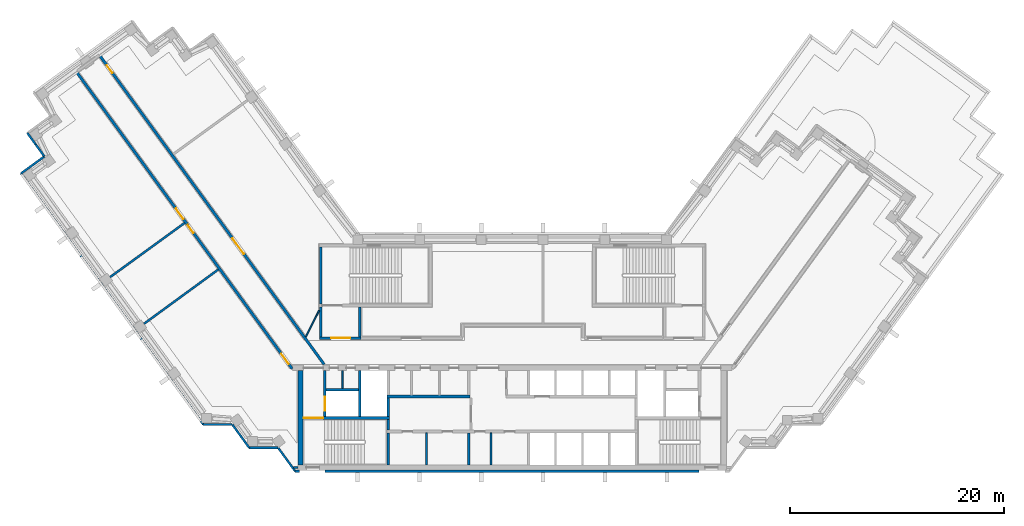
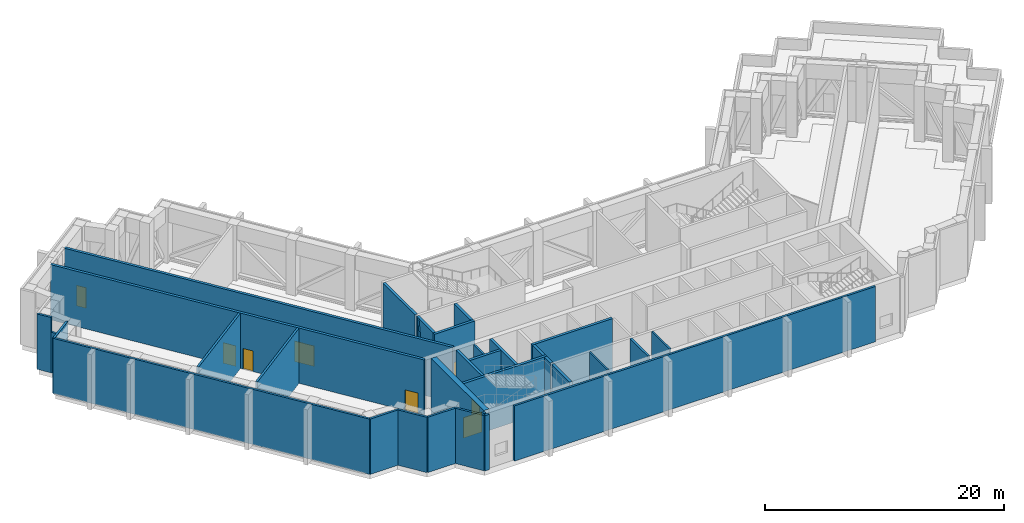
# One storey, part 9 of 16: 33 walls, 8 doors, 8 openings.
"""IFC4 building model written with IfcOpenShell, lengths in metres."""

from ifc_helpers import new_model, si_unit, direction, frame, frame_2d, origin, place, context, subcontext, project, spatial, rectangle, extrude, material, layer, layer_set, type_object, element, fill, save


model = new_model("IFC4")

# Units and contexts
model_context = context("Model", 3, precision=1e-05, world=origin(), true_north=direction((0.0, 1.0)))
body_context = subcontext(model_context, "Body", "Model", "MODEL_VIEW")
ifc_project = project(units=[si_unit("LENGTHUNIT", "METRE"), si_unit("AREAUNIT", "SQUARE_METRE"), si_unit("VOLUMEUNIT", "CUBIC_METRE"), si_unit("PLANEANGLEUNIT", "RADIAN"), si_unit("MASSUNIT", "GRAM", prefix="KILO")], contexts=[model_context])

# Site, building, storey
site_placement = place(None, origin())
site = spatial("IfcSite", under=ifc_project, at=site_placement, CompositionType="ELEMENT")
building_placement = place(site_placement, origin())
building = spatial("IfcBuilding", under=site, at=building_placement, Name="Quipu Civic Tower", CompositionType="ELEMENT")
storey_placement = place(building_placement, frame((0.0, 0.0, 188.0)))
storey = spatial("IfcBuildingStorey", under=building, at=storey_placement, Name="L44", CompositionType="ELEMENT", Elevation=188.0)

# Walls
ifc_material_1 = material(Name="Fired clay blockwork", Category="masonry")
ifc_layer_1 = layer(ifc_material_1, 0.199951171875)
ifc_layer_set_1 = layer_set([ifc_layer_1], Name="Fired clay blockwork")
wall_type_1 = type_object("IfcWallType", Name="Blockwork wall 200", PredefinedType="SOLIDWALL", material=ifc_layer_set_1)
wall_1_placement = place(storey_placement, frame((-34.353515625, 2.66650390625, 0.0), z_axis=(0.0, 0.0, 1.0), x_axis=(0.807581053567, 0.589756595487, 0.0)))
element("IfcWall", 1, at=wall_1_placement, inside=storey, type_object=wall_type_1, Name="Partition P03", PredefinedType="SOLIDWALL", context=body_context, shape_type="SweptSolid", body=[
    extrude(rectangle(XDim=8.594482421875, YDim=0.199951171875, at=frame_2d((4.29736328125, 0.0))), origin(), (0.0, 0.0, 1.0), 5.64990234375),
])
wall_2_placement = place(storey_placement, frame((-30.563232421875, 12.07177734375, 0.0), z_axis=(0.0, 0.0, 1.0), x_axis=(-0.808979233367, -0.58783722235, 0.0)))
element("IfcWall", 2, at=wall_2_placement, inside=storey, type_object=wall_type_1, Name="Partition P04", PredefinedType="SOLIDWALL", context=body_context, shape_type="SweptSolid", body=[
    extrude(rectangle(XDim=8.5947265625, YDim=0.199951171875, at=frame_2d((4.29736328125, 0.0))), origin(), (0.0, 0.0, 1.0), 5.64990234375),
])
ifc_material_2 = material(Name="Concrete C70/85", Category="concrete")
ifc_layer_2 = layer(ifc_material_2, 0.25)
ifc_layer_set_2 = layer_set([ifc_layer_2], Name="Concrete C70/85")
wall_type_2 = type_object("IfcWallType", Name="Core wall 250", PredefinedType="SHEAR", material=ifc_layer_set_2)
wall_3_placement = place(storey_placement, frame((-11.574951171875, -10.5, 0.0), z_axis=(0.0, 0.0, 1.0), x_axis=(0.0, 1.0, 0.0)))
element("IfcWall", 3, at=wall_3_placement, inside=storey, type_object=wall_type_2, Name="Core wall", PredefinedType="SHEAR", context=body_context, shape_type="SweptSolid", body=[
    extrude(rectangle(XDim=3.0, YDim=0.25, at=frame_2d((1.5, 0.0))), origin(), (0.0, 0.0, 1.0), 5.64990234375),
])
wall_4_placement = place(storey_placement, frame((-11.574951171875, -7.25, 0.0), z_axis=(0.0, 0.0, 1.0), x_axis=(0.0, 1.0, 0.0)))
element("IfcWall", 4, at=wall_4_placement, inside=storey, type_object=wall_type_2, Name="Core wall", PredefinedType="SHEAR", context=body_context, shape_type="SweptSolid", body=[
    extrude(rectangle(XDim=1.0, YDim=0.25, at=frame_2d((0.5, 0.0))), origin(), (0.0, 0.0, 1.0), 5.64990234375),
])

# Wall, opening, door
wall_5_placement = place(storey_placement, frame((-11.449951171875, -6.125, 0.0), z_axis=(0.0, 0.0, 1.0), x_axis=(-1.0, 0.0, 0.0)))
wall_5 = element("IfcWall", 5, at=wall_5_placement, inside=storey, type_object=wall_type_2, Name="Core wall", PredefinedType="SHEAR", context=body_context, shape_type="SweptSolid", body=[
    extrude(rectangle(XDim=8.050048828125, YDim=0.25, at=frame_2d((4.02490234375, 0.0))), origin(), (0.0, 0.0, 1.0), 5.64990234375),
])
opening_1_placement = place(wall_5_placement, frame((6.199951171875, 0.0, 0.0)))
opening_1 = element("IfcOpeningElement", 6, at=opening_1_placement, cuts=wall_5, Name="Opening CD-05", PredefinedType="OPENING", context=body_context, shape_type="SweptSolid", body=[
    extrude(rectangle(XDim=1.800048828125, YDim=2.10009765625, at=frame_2d((0.89990234375, 1.050048828125))), frame((0.0, 0.135009765625, 0.0), z_axis=(0.0, -1.0, 0.0), x_axis=(1.0, 0.0, 0.0)), (0.0, 0.0, 1.0), 0.27001953125),
])
ifc_material_3 = material(Name="Fire rated steel door", Category="steel")
door_type_1 = type_object("IfcDoorType", Name="Fire door FD90 double 1800 x 2100", OperationType="NOTDEFINED", PredefinedType="DOOR", material=ifc_material_3)
door_1_placement = place(opening_1_placement, origin())
door_1 = element("IfcDoor", 7, at=door_1_placement, inside=storey, type_object=door_type_1, Name="Door", OperationType="DOUBLE_DOOR_SINGLE_SWING", OverallHeight=2.10009765625, OverallWidth=1.800048828125, PredefinedType="DOOR", context=body_context, shape_type="SweptSolid", body=[
    extrude(rectangle(XDim=1.800048828125, YDim=2.10009765625, at=frame_2d((0.89990234375, 1.050048828125))), frame((0.0, 0.02490234375, 0.0), z_axis=(0.0, -1.0, 0.0), x_axis=(1.0, 0.0, 0.0)), (0.0, 0.0, 1.0), 0.050048828125),
])
fill(opening_1, door_1)

wall_6_placement = place(storey_placement, frame((-17.47509765625, -6.0, 0.0), z_axis=(0.0, 0.0, 1.0), x_axis=(0.0, 1.0, 0.0)))
wall_6 = element("IfcWall", 8, at=wall_6_placement, inside=storey, type_object=wall_type_2, Name="Core wall", PredefinedType="SHEAR", context=body_context, shape_type="SweptSolid", body=[
    extrude(rectangle(XDim=4.300048828125, YDim=0.25, at=frame_2d((2.14990234375, 0.0))), origin(), (0.0, 0.0, 1.0), 5.64990234375),
])
opening_2_placement = place(wall_6_placement, frame((0.550048828125, 0.0, 0.0)))
opening_2 = element("IfcOpeningElement", 9, at=opening_2_placement, cuts=wall_6, Name="Opening LD-FF1", PredefinedType="OPENING", context=body_context, shape_type="SweptSolid", body=[
    extrude(rectangle(XDim=1.300048828125, YDim=2.10009765625, at=frame_2d((0.64990234375, 1.050048828125))), frame((0.0, 0.135009765625, 0.0), z_axis=(0.0, -1.0, 0.0), x_axis=(1.0, 0.0, 0.0)), (0.0, 0.0, 1.0), 0.27001953125),
])
ifc_material_4 = material(Name="Stainless steel", Category="steel")
door_type_2 = type_object("IfcDoorType", Name="Lift landing door 1300 x 2100", OperationType="DOUBLE_DOOR_SLIDING", PredefinedType="DOOR", material=ifc_material_4)
door_2_placement = place(opening_2_placement, origin())
door_2 = element("IfcDoor", 10, at=door_2_placement, inside=storey, type_object=door_type_2, Name="Landing door FF1", OperationType="DOUBLE_DOOR_SLIDING", OverallHeight=2.10009765625, OverallWidth=1.300048828125, PredefinedType="DOOR", context=body_context, shape_type="SweptSolid", body=[
    extrude(rectangle(XDim=1.300048828125, YDim=2.10009765625, at=frame_2d((0.64990234375, 1.050048828125))), frame((0.0, 0.02490234375, 0.0), z_axis=(0.0, -1.0, 0.0), x_axis=(1.0, 0.0, 0.0)), (0.0, 0.0, 1.0), 0.050048828125),
])
fill(opening_2, door_2)

# Walls
wall_7_placement = place(storey_placement, frame((-14.22509765625, -6.0, 0.0), z_axis=(0.0, 0.0, 1.0), x_axis=(0.0, 1.0, 0.0)))
element("IfcWall", 11, at=wall_7_placement, inside=storey, type_object=wall_type_2, Name="Core wall", PredefinedType="SHEAR", context=body_context, shape_type="SweptSolid", body=[
    extrude(rectangle(XDim=4.300048828125, YDim=0.25, at=frame_2d((2.14990234375, 0.0))), origin(), (0.0, 0.0, 1.0), 5.64990234375),
])
wall_8_placement = place(storey_placement, frame((-11.574951171875, -6.0, 0.0), z_axis=(0.0, 0.0, 1.0), x_axis=(0.0, 1.0, 0.0)))
element("IfcWall", 12, at=wall_8_placement, inside=storey, type_object=wall_type_2, Name="Core wall", PredefinedType="SHEAR", context=body_context, shape_type="SweptSolid", body=[
    extrude(rectangle(XDim=1.75, YDim=0.25, at=frame_2d((0.875, 0.0))), origin(), (0.0, 0.0, 1.0), 5.64990234375),
])
wall_9_placement = place(storey_placement, frame((-11.699951171875, -4.125, 0.0), z_axis=(0.0, 0.0, 1.0), x_axis=(1.0, 0.0, 0.0)))
element("IfcWall", 13, at=wall_9_placement, inside=storey, type_object=wall_type_2, Name="Core wall", PredefinedType="SHEAR", context=body_context, shape_type="SweptSolid", body=[
    extrude(rectangle(XDim=7.75, YDim=0.25, at=frame_2d((3.875, 0.0))), origin(), (0.0, 0.0, 1.0), 5.64990234375),
])
wall_10_placement = place(storey_placement, frame((-17.35009765625, -3.47509765625, 0.0), z_axis=(0.0, 0.0, 1.0), x_axis=(1.0, 0.0, 0.0)))
element("IfcWall", 14, at=wall_10_placement, inside=storey, type_object=wall_type_2, Name="Core wall", PredefinedType="SHEAR", context=body_context, shape_type="SweptSolid", body=[
    extrude(rectangle(XDim=3.0, YDim=0.25, at=frame_2d((1.5, 0.0))), origin(), (0.0, 0.0, 1.0), 5.64990234375),
])

# Wall, opening, door
wall_11_placement = place(storey_placement, frame((-18.0, 1.324951171875, 0.0), z_axis=(0.0, 0.0, 1.0), x_axis=(1.0, 0.0, 0.0)))
wall_11 = element("IfcWall", 15, at=wall_11_placement, inside=storey, type_object=wall_type_2, Name="Core wall", PredefinedType="SHEAR", context=body_context, shape_type="SweptSolid", body=[
    extrude(rectangle(XDim=3.89990234375, YDim=0.25, at=frame_2d((1.949951171875, 0.0))), origin(), (0.0, 0.0, 1.0), 5.64990234375),
])
opening_3_placement = place(wall_11_placement, frame((1.10009765625, 0.0, 0.0)))
opening_3 = element("IfcOpeningElement", 16, at=opening_3_placement, cuts=wall_11, Name="Opening CD-20", PredefinedType="OPENING", context=body_context, shape_type="SweptSolid", body=[
    extrude(rectangle(XDim=1.800048828125, YDim=2.10009765625, at=frame_2d((0.89990234375, 1.050048828125))), frame((0.0, 0.135009765625, 0.0), z_axis=(0.0, -1.0, 0.0), x_axis=(1.0, 0.0, 0.0)), (0.0, 0.0, 1.0), 0.27001953125),
])
door_3_placement = place(opening_3_placement, origin())
door_3 = element("IfcDoor", 17, at=door_3_placement, inside=storey, type_object=door_type_1, Name="Lobby door", OperationType="DOUBLE_DOOR_SINGLE_SWING", OverallHeight=2.10009765625, OverallWidth=1.800048828125, PredefinedType="DOOR", context=body_context, shape_type="SweptSolid", body=[
    extrude(rectangle(XDim=1.800048828125, YDim=2.10009765625, at=frame_2d((0.89990234375, 1.050048828125))), frame((0.0, 0.02490234375, 0.0), z_axis=(0.0, -1.0, 0.0), x_axis=(1.0, 0.0, 0.0)), (0.0, 0.0, 1.0), 0.050048828125),
])
fill(opening_3, door_3)

# Walls
for number, where, z_axis, x_axis, name in (
    (18, (-17.875, 1.449951171875, 0.0), (0.0, 0.0, 1.0), (0.0, 1.0, 0.0), "Core wall"),
    (19, (-14.22509765625, 1.449951171875, 0.0), (0.0, 0.0, 1.0), (0.0, 1.0, 0.0), "Core wall"),
):
    element("IfcWall", number, at=place(storey_placement, frame(where, z_axis=z_axis, x_axis=x_axis)), inside=storey, type_object=wall_type_2, Name=name, PredefinedType="SHEAR", context=body_context, shape_type="SweptSolid", body=[
        extrude(rectangle(XDim=2.800048828125, YDim=0.25, at=frame_2d((1.39990234375, 0.0))), origin(), (0.0, 0.0, 1.0), 5.64990234375),
    ])
wall_12_placement = place(storey_placement, frame((-17.875, 4.5, 0.0), z_axis=(0.0, 0.0, 1.0), x_axis=(0.0, 1.0, 0.0)))
element("IfcWall", 20, at=wall_12_placement, inside=storey, type_object=wall_type_2, Name="Core wall", PredefinedType="SHEAR", context=body_context, shape_type="SweptSolid", body=[
    extrude(rectangle(XDim=5.35009765625, YDim=0.25, at=frame_2d((2.675048828125, 0.0))), origin(), (0.0, 0.0, 1.0), 5.64990234375),
])
ifc_material_5 = material(Name="Concrete C70/85", Category="concrete")
ifc_layer_3 = layer(ifc_material_5, 0.5)
ifc_layer_set_3 = layer_set([ifc_layer_3], Name="Concrete C70/85")
wall_type_3 = type_object("IfcWallType", Name="Core wall 500", PredefinedType="SHEAR", material=ifc_layer_set_3)
wall_13_placement = place(storey_placement, frame((-19.75, -10.5, 0.0), z_axis=(0.0, 0.0, 1.0), x_axis=(0.0, 1.0, 0.0)))
element("IfcWall", 21, at=wall_13_placement, inside=storey, type_object=wall_type_3, Name="Core wall", PredefinedType="SHEAR", context=body_context, shape_type="SweptSolid", body=[
    extrude(rectangle(XDim=8.800048828125, YDim=0.5, at=frame_2d((4.39990234375, 0.0))), origin(), (0.0, 0.0, 1.0), 5.64990234375),
])

# Wall, openings, doors
ifc_material_6 = material(Name="Concrete C50/60", Category="concrete")
ifc_layer_4 = layer(ifc_material_6, 0.25)
ifc_layer_set_4 = layer_set([ifc_layer_4], Name="Concrete C50/60")
wall_type_4 = type_object("IfcWallType", Name="Corridor wall 250 concrete", PredefinedType="SOLIDWALL", material=ifc_layer_set_4)
wall_14_placement = place(storey_placement, frame((-20.531005859375, -1.5234375, 0.0), z_axis=(0.0, 0.0, 1.0), x_axis=(-0.587786778139, 0.80901588578, 0.0)))
wall_14 = element("IfcWall", 22, at=wall_14_placement, inside=storey, type_object=wall_type_4, Name="Corridor wall C06", PredefinedType="SOLIDWALL", context=body_context, shape_type="SweptSolid", body=[
    extrude(rectangle(XDim=34.211669921875, YDim=0.25, at=frame_2d((17.10595703125, 0.0))), origin(), (0.0, 0.0, 1.0), 5.64990234375),
])
opening_4_placement = place(wall_14_placement, frame((15.666015625, 0.0, 0.0)))
opening_4 = element("IfcOpeningElement", 23, at=opening_4_placement, cuts=wall_14, Name="Opening D008", PredefinedType="OPENING", context=body_context, shape_type="SweptSolid", body=[
    extrude(rectangle(XDim=0.89990234375, YDim=2.10009765625, at=frame_2d((0.449951171875, 1.050048828125))), frame((0.0, 0.135009765625, 0.0), z_axis=(0.0, -1.0, 0.0), x_axis=(1.0, 0.0, 0.0)), (0.0, 0.0, 1.0), 0.27001953125),
])
opening_5_placement = place(wall_14_placement, frame((0.533203125, 0.0, 0.0)))
opening_5 = element("IfcOpeningElement", 24, at=opening_5_placement, cuts=wall_14, Name="Opening D009", PredefinedType="OPENING", context=body_context, shape_type="SweptSolid", body=[
    extrude(rectangle(XDim=1.199951171875, YDim=2.10009765625, at=frame_2d((0.60009765625, 1.050048828125))), frame((0.0, 0.135009765625, 0.0), z_axis=(0.0, -1.0, 0.0), x_axis=(1.0, 0.0, 0.0)), (0.0, 0.0, 1.0), 0.27001953125),
])
opening_6_placement = place(wall_14_placement, frame((17.265869140625, 0.0, 0.0)))
opening_6 = element("IfcOpeningElement", 25, at=opening_6_placement, cuts=wall_14, Name="Opening D007", PredefinedType="OPENING", context=body_context, shape_type="SweptSolid", body=[
    extrude(rectangle(XDim=1.199951171875, YDim=2.10009765625, at=frame_2d((0.60009765625, 1.050048828125))), frame((0.0, 0.135009765625, 0.0), z_axis=(0.0, -1.0, 0.0), x_axis=(1.0, 0.0, 0.0)), (0.0, 0.0, 1.0), 0.27001953125),
])
ifc_material_7 = material(Name="Fire rated timber door set with metal frame", Category="wood")
door_type_3 = type_object("IfcDoorType", Name="Single door 1200 x 2100 FD60", OperationType="NOTDEFINED", PredefinedType="DOOR", material=ifc_material_7)
door_4_placement = place(opening_5_placement, origin())
door_4 = element("IfcDoor", 26, at=door_4_placement, inside=storey, type_object=door_type_3, Name="Door D009", OperationType="SINGLE_SWING_LEFT", OverallHeight=2.10009765625, OverallWidth=1.199951171875, PredefinedType="DOOR", context=body_context, shape_type="SweptSolid", body=[
    extrude(rectangle(XDim=1.199951171875, YDim=2.10009765625, at=frame_2d((0.60009765625, 1.050048828125))), frame((0.0, 0.02490234375, 0.0), z_axis=(0.0, -1.0, 0.0), x_axis=(1.0, 0.0, 0.0)), (0.0, 0.0, 1.0), 0.050048828125),
])
fill(opening_5, door_4)
door_5_placement = place(opening_6_placement, origin())
door_5 = element("IfcDoor", 27, at=door_5_placement, inside=storey, type_object=door_type_3, Name="Door D007", OperationType="SINGLE_SWING_LEFT", OverallHeight=2.10009765625, OverallWidth=1.199951171875, PredefinedType="DOOR", context=body_context, shape_type="SweptSolid", body=[
    extrude(rectangle(XDim=1.199951171875, YDim=2.10009765625, at=frame_2d((0.60009765625, 1.050048828125))), frame((0.0, 0.02490234375, 0.0), z_axis=(0.0, -1.0, 0.0), x_axis=(1.0, 0.0, 0.0)), (0.0, 0.0, 1.0), 0.050048828125),
])
fill(opening_6, door_5)
ifc_material_8 = material(Name="Fire rated timber door set with metal frame", Category="wood")
door_type_4 = type_object("IfcDoorType", Name="Single door 900 x 2100 FD60", OperationType="NOTDEFINED", PredefinedType="DOOR", material=ifc_material_8)
door_6_placement = place(opening_4_placement, origin())
door_6 = element("IfcDoor", 28, at=door_6_placement, inside=storey, type_object=door_type_4, Name="Door D008", OperationType="SINGLE_SWING_RIGHT", OverallHeight=2.10009765625, OverallWidth=0.89990234375, PredefinedType="DOOR", context=body_context, shape_type="SweptSolid", body=[
    extrude(rectangle(XDim=0.89990234375, YDim=2.10009765625, at=frame_2d((0.449951171875, 1.050048828125))), frame((0.0, 0.02490234375, 0.0), z_axis=(0.0, -1.0, 0.0), x_axis=(1.0, 0.0, 0.0)), (0.0, 0.0, 1.0), 0.050048828125),
])
fill(opening_4, door_6)

wall_15_placement = place(storey_placement, frame((-38.4404296875, 27.63525390625, 0.0), z_axis=(0.0, 0.0, 1.0), x_axis=(0.587787785895, -0.809015153599, 0.0)))
wall_15 = element("IfcWall", 29, at=wall_15_placement, inside=storey, type_object=wall_type_4, Name="Corridor wall C08", PredefinedType="SOLIDWALL", context=body_context, shape_type="SweptSolid", body=[
    extrude(rectangle(XDim=35.54931640625, YDim=0.25, at=frame_2d((17.774658203125, 0.0))), origin(), (0.0, 0.0, 1.0), 5.64990234375),
])
opening_7_placement = place(wall_15_placement, frame((21.02490234375, 0.0, 0.0)))
opening_7 = element("IfcOpeningElement", 30, at=opening_7_placement, cuts=wall_15, Name="Opening D006", PredefinedType="OPENING", context=body_context, shape_type="SweptSolid", body=[
    extrude(rectangle(XDim=1.800048828125, YDim=2.10009765625, at=frame_2d((0.89990234375, 1.050048828125))), frame((0.0, 0.135009765625, 0.0), z_axis=(0.0, -1.0, 0.0), x_axis=(1.0, 0.0, 0.0)), (0.0, 0.0, 1.0), 0.27001953125),
])
opening_8_placement = place(wall_15_placement, frame((1.04638671875, 0.0, 0.0)))
opening_8 = element("IfcOpeningElement", 31, at=opening_8_placement, cuts=wall_15, Name="Opening D005", PredefinedType="OPENING", context=body_context, shape_type="SweptSolid", body=[
    extrude(rectangle(XDim=0.89990234375, YDim=2.10009765625, at=frame_2d((0.449951171875, 1.050048828125))), frame((0.0, 0.135009765625, 0.0), z_axis=(0.0, -1.0, 0.0), x_axis=(1.0, 0.0, 0.0)), (0.0, 0.0, 1.0), 0.27001953125),
])
ifc_material_9 = material(Name="Fire rated timber door set with metal frame", Category="wood")
door_type_5 = type_object("IfcDoorType", Name="Double door 1800 x 2100 FD60", OperationType="DOUBLE_DOOR_SINGLE_SWING", PredefinedType="DOOR", material=ifc_material_9)
door_7_placement = place(opening_7_placement, origin())
door_7 = element("IfcDoor", 32, at=door_7_placement, inside=storey, type_object=door_type_5, Name="Door D006", OperationType="DOUBLE_DOOR_SINGLE_SWING", OverallHeight=2.10009765625, OverallWidth=1.800048828125, PredefinedType="DOOR", context=body_context, shape_type="SweptSolid", body=[
    extrude(rectangle(XDim=1.800048828125, YDim=2.10009765625, at=frame_2d((0.89990234375, 1.050048828125))), frame((0.0, 0.02490234375, 0.0), z_axis=(0.0, -1.0, 0.0), x_axis=(1.0, 0.0, 0.0)), (0.0, 0.0, 1.0), 0.050048828125),
])
fill(opening_7, door_7)
door_8_placement = place(opening_8_placement, origin())
door_8 = element("IfcDoor", 33, at=door_8_placement, inside=storey, type_object=door_type_4, Name="Door D005", OperationType="SINGLE_SWING_LEFT", OverallHeight=2.10009765625, OverallWidth=0.89990234375, PredefinedType="DOOR", context=body_context, shape_type="SweptSolid", body=[
    extrude(rectangle(XDim=0.89990234375, YDim=2.10009765625, at=frame_2d((0.449951171875, 1.050048828125))), frame((0.0, 0.02490234375, 0.0), z_axis=(0.0, -1.0, 0.0), x_axis=(1.0, 0.0, 0.0)), (0.0, 0.0, 1.0), 0.050048828125),
])
fill(opening_8, door_8)

# Walls
ifc_material_10 = material(Name="Gypsum plasterboard on light gauge framing")
ifc_layer_5 = layer(ifc_material_10, 0.1201171875)
ifc_layer_set_5 = layer_set([ifc_layer_5], Name="Gypsum plasterboard on light gauge framing")
wall_type_5 = type_object("IfcWallType", Name="Partition 120 plasterboard", PredefinedType="PARTITIONING", material=ifc_layer_set_5)
wall_16_placement = place(storey_placement, frame((-19.260986328125, 1.449951171875, 0.0), z_axis=(0.0, 0.0, 1.0), x_axis=(0.453950796792, 0.891026752736, 0.0)))
element("IfcWall", 34, at=wall_16_placement, inside=storey, type_object=wall_type_5, Name="Partition P05", PredefinedType="PARTITIONING", context=body_context, shape_type="SweptSolid", body=[
    extrude(rectangle(XDim=2.77783203125, YDim=0.1201171875, at=frame_2d((1.388916015625, 0.0))), origin(), (0.0, 0.0, 1.0), 5.64990234375),
])
ifc_material_11 = material(Name="Gypsum board partition")
ifc_layer_6 = layer(ifc_material_11, 0.14990234375)
ifc_layer_set_6 = layer_set([ifc_layer_6], Name="Gypsum board partition")
wall_type_6 = type_object("IfcWallType", Name="Partition 150", PredefinedType="PARTITIONING", material=ifc_layer_set_6)
for number, where, z_axis, x_axis, name in (
    (35, (-8.0, -10.5, 0.0), (0.0, 0.0, 1.0), (0.0, 1.0, 0.0), "Partition"),
    (36, (-1.97509765625, -10.5, 0.0), (0.0, 0.0, 1.0), (0.0, 1.0, 0.0), "Partition"),
):
    element("IfcWall", number, at=place(storey_placement, frame(where, z_axis=z_axis, x_axis=x_axis)), inside=storey, type_object=wall_type_6, Name=name, PredefinedType="PARTITIONING", context=body_context, shape_type="SweptSolid", body=[
        extrude(rectangle(XDim=3.0, YDim=0.14990234375, at=frame_2d((1.5, 0.0))), origin(), (0.0, 0.0, 1.0), 5.64990234375),
    ])
wall_17_placement = place(storey_placement, frame((-15.85009765625, -3.35009765625, 0.0), z_axis=(0.0, 0.0, 1.0), x_axis=(0.0, 1.0, 0.0)))
element("IfcWall", 37, at=wall_17_placement, inside=storey, type_object=wall_type_6, Name="Partition", PredefinedType="PARTITIONING", context=body_context, shape_type="SweptSolid", body=[
    extrude(rectangle(XDim=1.650146484375, YDim=0.14990234375, at=frame_2d((0.8251953125, 0.0))), origin(), (0.0, 0.0, 1.0), 5.64990234375),
])
ifc_material_12 = material(Name="Precast concrete C40/50", Category="concrete")
wall_type_7 = type_object("IfcWallType", Name="Precast cladding wall", PredefinedType="SOLIDWALL", material=ifc_material_12)
wall_18_placement = place(storey_placement, frame((-45.242431640625, 20.472900390625, 0.0), z_axis=(0.0, 0.0, 1.0), x_axis=(0.587652369972, -0.809113522361, 0.0)))
element("IfcWall", 38, at=wall_18_placement, inside=storey, type_object=wall_type_7, Name="Precast cladding wall L44 9", PredefinedType="SOLIDWALL", context=body_context, shape_type="SweptSolid", body=[
    extrude(rectangle(XDim=1.31396484375, YDim=0.199951171875, at=frame_2d((0.656982421875, 0.0))), origin(), (0.0, 0.0, 1.0), 5.64990234375),
])
wall_19_placement = place(storey_placement, frame((-44.47021484375, 19.40966796875, 0.0), z_axis=(0.0, 0.0, 1.0), x_axis=(0.58786788786, -0.808956949672, 0.0)))
element("IfcWall", 39, at=wall_19_placement, inside=storey, type_object=wall_type_7, Name="Precast cladding wall L44 9 a", PredefinedType="SOLIDWALL", context=body_context, shape_type="SweptSolid", body=[
    extrude(rectangle(XDim=1.3857421875, YDim=0.199951171875, at=frame_2d((0.69287109375, 0.0))), origin(), (0.0, 0.0, 1.0), 4.14990234375),
])
wall_20_placement = place(storey_placement, frame((-43.658203125, 18.271728515625, 0.0), z_axis=(0.0, 0.0, 1.0), x_axis=(-0.808958916286, -0.58786518162, 0.0)))
element("IfcWall", 40, at=wall_20_placement, inside=storey, type_object=wall_type_7, Name="Precast cladding wall L44 10", PredefinedType="SOLIDWALL", context=body_context, shape_type="SweptSolid", body=[
    extrude(rectangle(XDim=2.699951171875, YDim=0.199951171875, at=frame_2d((1.35009765625, 0.0))), origin(), (0.0, 0.0, 1.0), 5.64990234375),
])
wall_21_placement = place(storey_placement, frame((-45.83984375, 16.701416015625, 0.0), z_axis=(0.0, 0.0, 1.0), x_axis=(0.587788110303, -0.809014917901, 0.0)))
element("IfcWall", 41, at=wall_21_placement, inside=storey, type_object=wall_type_7, Name="Precast cladding wall L44 11", PredefinedType="SOLIDWALL", context=body_context, shape_type="SweptSolid", body=[
    extrude(rectangle(XDim=28.95556640625, YDim=0.199951171875, at=frame_2d((14.477783203125, 0.0))), origin(), (0.0, 0.0, 1.0), 5.64990234375),
])
wall_22_placement = place(storey_placement, frame((-28.829833984375, -6.71923828125, 0.0), z_axis=(0.0, 0.0, 1.0), x_axis=(1.0, 0.0, 0.0)))
element("IfcWall", 42, at=wall_22_placement, inside=storey, type_object=wall_type_7, Name="Precast cladding wall L44 12", PredefinedType="SOLIDWALL", context=body_context, shape_type="SweptSolid", body=[
    extrude(rectangle(XDim=2.699951171875, YDim=0.199951171875, at=frame_2d((1.35009765625, 0.0))), origin(), (0.0, 0.0, 1.0), 5.64990234375),
])
wall_23_placement = place(storey_placement, frame((-26.1201171875, -6.72412109375, 0.0), z_axis=(0.0, 0.0, 1.0), x_axis=(0.587720002413, -0.809064397168, 0.0)))
element("IfcWall", 43, at=wall_23_placement, inside=storey, type_object=wall_type_7, Name="Precast cladding wall L44 13", PredefinedType="SOLIDWALL", context=body_context, shape_type="SweptSolid", body=[
    extrude(rectangle(XDim=2.7001953125, YDim=0.199951171875, at=frame_2d((1.35009765625, 0.0))), origin(), (0.0, 0.0, 1.0), 5.64990234375),
])
wall_24_placement = place(storey_placement, frame((-24.542724609375, -8.90380859375, 0.0), z_axis=(0.0, 0.0, 1.0), x_axis=(1.0, 0.0, 0.0)))
element("IfcWall", 44, at=wall_24_placement, inside=storey, type_object=wall_type_7, Name="Precast cladding wall L44 14", PredefinedType="SOLIDWALL", context=body_context, shape_type="SweptSolid", body=[
    extrude(rectangle(XDim=2.699951171875, YDim=0.199951171875, at=frame_2d((1.35009765625, 0.0))), origin(), (0.0, 0.0, 1.0), 5.64990234375),
])
wall_25_placement = place(storey_placement, frame((-21.8330078125, -8.90869140625, 0.0), z_axis=(0.0, 0.0, 1.0), x_axis=(0.587766567315, -0.809030569476, 0.0)))
element("IfcWall", 45, at=wall_25_placement, inside=storey, type_object=wall_type_7, Name="Precast cladding wall L44 15", PredefinedType="SOLIDWALL", context=body_context, shape_type="SweptSolid", body=[
    extrude(rectangle(XDim=2.687744140625, YDim=0.199951171875, at=frame_2d((1.34375, 0.0))), origin(), (0.0, 0.0, 1.0), 5.64990234375),
])
wall_26_placement = place(storey_placement, frame((-20.255859375, -11.087890625, 0.0), z_axis=(0.0, 0.0, 1.0), x_axis=(1.0, 0.0, 0.0)))
element("IfcWall", 46, at=wall_26_placement, inside=storey, type_object=wall_type_7, Name="Precast cladding wall L44 16", PredefinedType="SOLIDWALL", context=body_context, shape_type="SweptSolid", body=[
    extrude(rectangle(XDim=0.40576171875, YDim=0.199951171875, at=frame_2d((0.202880859375, 0.0))), origin(), (0.0, 0.0, 1.0), 5.64990234375),
])
wall_27_placement = place(storey_placement, frame((-17.44384765625, -11.087890625, 0.0), z_axis=(0.0, 0.0, 1.0), x_axis=(1.0, 0.0, 0.0)))
element("IfcWall", 47, at=wall_27_placement, inside=storey, type_object=wall_type_7, Name="Precast cladding wall L44 17", PredefinedType="SOLIDWALL", context=body_context, shape_type="SweptSolid", body=[
    extrude(rectangle(XDim=34.8876953125, YDim=0.199951171875, at=frame_2d((17.44384765625, 0.0))), origin(), (0.0, 0.0, 1.0), 5.64990234375),
])
wall_28_placement = place(storey_placement, frame((-19.97998046875, -10.75, 0.0), z_axis=(0.0, 0.0, 1.0), x_axis=(-1.0, 0.0, 0.0)))
element("IfcWall", 48, at=wall_28_placement, inside=storey, type_object=wall_type_7, Name="Precast cladding return L44 W", PredefinedType="SOLIDWALL", context=body_context, shape_type="SweptSolid", body=[
    extrude(rectangle(XDim=0.41650390625, YDim=0.199951171875, at=frame_2d((0.208251953125, 0.0))), origin(), (0.0, 0.0, 1.0), 5.64990234375),
])
ifc_material_13 = material(Name="Concrete C40/50", Category="concrete")
ifc_layer_7 = layer(ifc_material_13, 0.199951171875)
ifc_layer_set_7 = layer_set([ifc_layer_7], Name="Concrete C40/50")
wall_type_8 = type_object("IfcWallType", Name="Shaft wall 200", PredefinedType="SOLIDWALL", material=ifc_layer_set_7)
wall_29_placement = place(storey_placement, frame((-4.050048828125, -10.5, 0.0), z_axis=(0.0, 0.0, 1.0), x_axis=(0.0, 1.0, 0.0)))
element("IfcWall", 49, at=wall_29_placement, inside=storey, type_object=wall_type_8, Name="Shaft wall", PredefinedType="SOLIDWALL", context=body_context, shape_type="SweptSolid", body=[
    extrude(rectangle(XDim=3.0, YDim=0.199951171875, at=frame_2d((1.5, 0.0))), origin(), (0.0, 0.0, 1.0), 5.64990234375),
])

save(model, "model.ifc")
